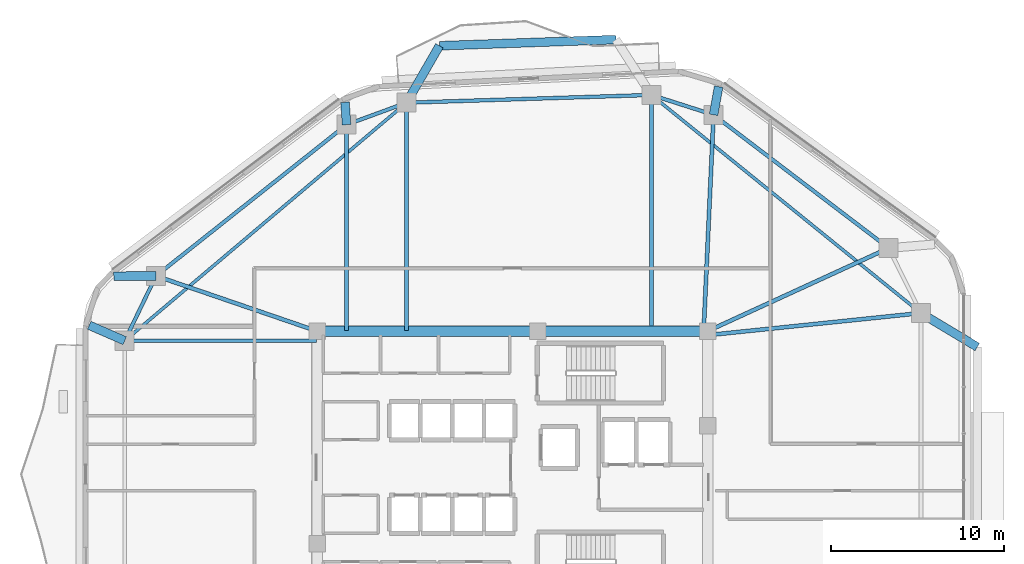
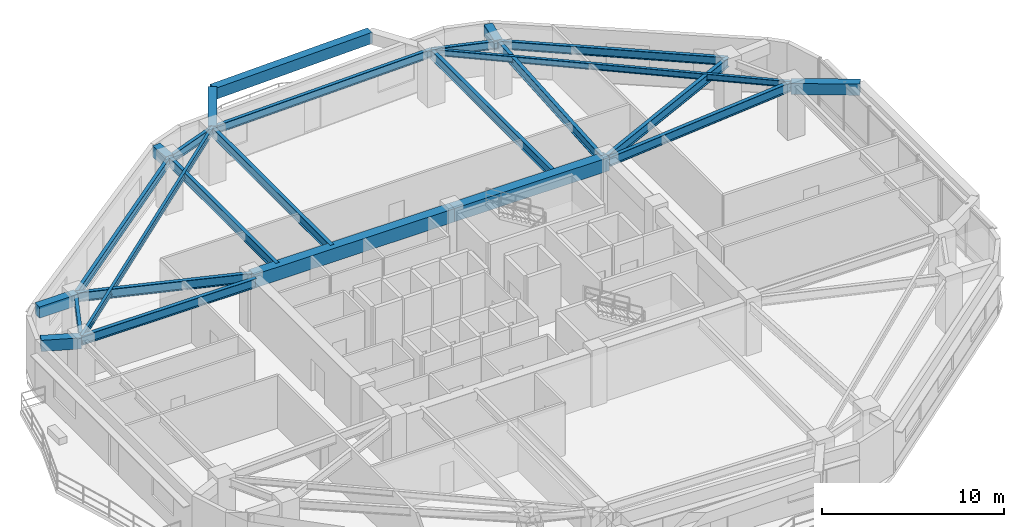
# One storey, part 6 of 15: 25 beams.
"""IFC4 building model written with IfcOpenShell, lengths in metres."""

from ifc_helpers import new_model, si_unit, direction, frame, origin, origin_2d, place, context, subcontext, project, spatial, rectangle, i_section, extrude, material, material_profile, profile_set, type_object, element, save


model = new_model("IFC4")

# Units and contexts
model_context = context("Model", 3, precision=1e-05, world=origin(), true_north=direction((0.0, 1.0)))
body_context = subcontext(model_context, "Body", "Model", "MODEL_VIEW")
ifc_project = project(units=[si_unit("LENGTHUNIT", "METRE"), si_unit("AREAUNIT", "SQUARE_METRE"), si_unit("VOLUMEUNIT", "CUBIC_METRE"), si_unit("PLANEANGLEUNIT", "RADIAN"), si_unit("MASSUNIT", "GRAM", prefix="KILO")], contexts=[model_context])

# Site, building, storey
site_placement = place(None, origin())
site = spatial("IfcSite", under=ifc_project, at=site_placement, CompositionType="ELEMENT")
building_placement = place(site_placement, origin())
building = spatial("IfcBuilding", under=site, at=building_placement, Name="Zulverin Broadcast Headquarters", CompositionType="ELEMENT")
storey_placement = place(building_placement, frame((0.0, 0.0, 132.60009765625)))
storey = spatial("IfcBuildingStorey", under=building, at=storey_placement, Name="L33", CompositionType="ELEMENT", Elevation=132.60009765625)

# Beams
ifc_material_1 = material(Name="Concrete C60/75", Category="concrete")
ifc_material_profile_1 = material_profile(ifc_material_1, rectangle(XDim=0.60009765625, YDim=0.89990234375, at=origin_2d()), Name="Concrete C60/75", Category="concrete")
ifc_profile_set_1 = profile_set([ifc_material_profile_1], Name="Concrete C60/75")
beam_type_1 = type_object("IfcBeamType", Name="BM-CB-600x900", PredefinedType="LINTEL", material=ifc_profile_set_1)
beam_1_placement = place(storey_placement, frame((48.27490234375, 33.074951171875, 3.08984375), z_axis=(-1.0, 0.0, 0.0), x_axis=(0.0, -1.0, 0.0)))
element("IfcBeam", 1, at=beam_1_placement, inside=storey, type_object=beam_type_1, Name="L33 Core Coupling Girder K05-K06", PredefinedType="LINTEL", context=body_context, shape_type="SweptSolid", body=[
    extrude(rectangle(XDim=0.60009765625, YDim=0.89990234375, at=origin_2d()), origin(), (0.0, 0.0, 1.0), 9.824951171875),
])
beam_2_placement = place(storey_placement, frame((38.449951171875, 33.074951171875, 3.08984375), z_axis=(-1.0, 0.0, 0.0), x_axis=(0.0, -1.0, 0.0)))
element("IfcBeam", 2, at=beam_2_placement, inside=storey, type_object=beam_type_1, Name="L33 Core Coupling Girder K06-K07", PredefinedType="LINTEL", context=body_context, shape_type="SweptSolid", body=[
    extrude(rectangle(XDim=0.60009765625, YDim=0.89990234375, at=origin_2d()), origin(), (0.0, 0.0, 1.0), 12.724853515625),
])
ifc_material_2 = material(Name="Concrete C40/50", Category="concrete")
ifc_material_profile_2 = material_profile(ifc_material_2, rectangle(XDim=0.5, YDim=0.75, at=origin_2d()), Name="Concrete C40/50", Category="concrete")
ifc_profile_set_2 = profile_set([ifc_material_profile_2], Name="Concrete C40/50")
beam_type_2 = type_object("IfcBeamType", Name="BM-RC-500x750", PredefinedType="BEAM", material=ifc_profile_set_2)
beam_3_placement = place(storey_placement, frame((48.62158203125, 45.574951171875, 3.164794921875), z_axis=(0.176183868408, 0.984357274831, 0.0), x_axis=(-0.984357274831, 0.176183868408, 0.0)))
element("IfcBeam", 3, at=beam_3_placement, inside=storey, type_object=beam_type_2, Name="L34 Plate Overhang Back-Spanned Beam OVR-08", PredefinedType="BEAM", context=body_context, shape_type="SweptSolid", body=[
    extrude(rectangle(XDim=0.5, YDim=0.75, at=origin_2d()), origin(), (0.0, 0.0, 1.0), 1.654541015625),
])
beam_4_placement = place(storey_placement, frame((27.416259765625, 45.00439453125, 3.164794921875), z_axis=(-0.068312581643, 0.99766396707, 0.0), x_axis=(-0.99766396707, -0.068312581643, 0.0)))
element("IfcBeam", 4, at=beam_4_placement, inside=storey, type_object=beam_type_2, Name="L34 Plate Overhang Back-Spanned Beam OVR-11", PredefinedType="BEAM", context=body_context, shape_type="SweptSolid", body=[
    extrude(rectangle(XDim=0.5, YDim=0.75, at=origin_2d()), origin(), (0.0, 0.0, 1.0), 1.30078125),
])
beam_5_placement = place(storey_placement, frame((16.40869140625, 36.26806640625, 3.164794921875), z_axis=(-0.999988487108, -0.004798505187, 0.0), x_axis=(0.004798505187, -0.999988487108, 0.0)))
element("IfcBeam", 5, at=beam_5_placement, inside=storey, type_object=beam_type_2, Name="L34 Plate Overhang Back-Spanned Beam OVR-12", PredefinedType="BEAM", context=body_context, shape_type="SweptSolid", body=[
    extrude(rectangle(XDim=0.5, YDim=0.75, at=origin_2d()), origin(), (0.0, 0.0, 1.0), 2.442138671875),
])
beam_6_placement = place(storey_placement, frame((14.60009765625, 32.523193359375, 3.164794921875), z_axis=(-0.916345077011, 0.400389435221, 0.0), x_axis=(-0.400389435221, -0.916345077011, 0.0)))
element("IfcBeam", 6, at=beam_6_placement, inside=storey, type_object=beam_type_2, Name="L34 Plate Overhang Back-Spanned Beam OVR-13", PredefinedType="BEAM", context=body_context, shape_type="SweptSolid", body=[
    extrude(rectangle(XDim=0.5, YDim=0.75, at=origin_2d()), origin(), (0.0, 0.0, 1.0), 2.2373046875),
])
beam_7_placement = place(storey_placement, frame((60.60009765625, 34.12158203125, 3.164794921875), z_axis=(0.856590210266, -0.515997298128, 0.0), x_axis=(0.515997298128, 0.856590210266, 0.0)))
element("IfcBeam", 7, at=beam_7_placement, inside=storey, type_object=beam_type_2, Name="L34 Balcony Column-Framed Cantilever BAL_E-2", PredefinedType="BEAM", context=body_context, shape_type="SweptSolid", body=[
    extrude(rectangle(XDim=0.5, YDim=0.75, at=origin_2d()), origin(), (0.0, 0.0, 1.0), 3.7998046875),
])
beam_8_placement = place(storey_placement, frame((30.882080078125, 46.27490234375, 3.164794921875), z_axis=(0.500167342989, 0.865928766705, 0.0), x_axis=(-0.865928766705, 0.500167342989, 0.0)))
element("IfcBeam", 8, at=beam_8_placement, inside=storey, type_object=beam_type_2, Name="L34 Balcony Column-Framed Cantilever BAL_N-2", PredefinedType="BEAM", context=body_context, shape_type="SweptSolid", body=[
    extrude(rectangle(XDim=0.5, YDim=0.75, at=origin_2d()), origin(), (0.0, 0.0, 1.0), 3.800048828125),
])
beam_9_placement = place(storey_placement, frame((42.9765625, 49.922607421875, 3.164794921875), z_axis=(-0.999386714326, -0.035017070534, 0.0), x_axis=(0.035017070534, -0.999386714326, 0.0)))
element("IfcBeam", 9, at=beam_9_placement, inside=storey, type_object=beam_type_2, Name="L34 Balcony Outer Edge Trimmer Beam BAL_N", PredefinedType="BEAM", context=body_context, shape_type="SweptSolid", body=[
    extrude(rectangle(XDim=0.5, YDim=0.75, at=origin_2d()), origin(), (0.0, 0.0, 1.0), 10.2001953125),
])
ifc_material_3 = material(Name="Structural steel S355JR", Category="steel")
ifc_material_profile_3 = material_profile(ifc_material_3, i_section(OverallWidth=0.179443359375, OverallDepth=0.412841796875, WebThickness=0.009521484375, FlangeThickness=0.01611328125, at=origin_2d()), Name="Structural steel S355JR", Category="steel")
ifc_profile_set_3 = profile_set([ifc_material_profile_3], Name="Structural steel S355JR")
beam_type_3 = type_object("IfcBeamType", Name="BM-UB-406", PredefinedType="JOIST", material=ifc_profile_set_3)
beam_10_placement = place(storey_placement, frame((60.60009765625, 34.12158203125, 3.33349609375), z_axis=(-0.777349017335, 0.629069555175, 0.0), x_axis=(-0.629069555175, -0.777349017335, 0.0)))
element("IfcBeam", 10, at=beam_10_placement, inside=storey, type_object=beam_type_3, Name="L33 Chordal Floor Joist J-02", PredefinedType="JOIST", context=body_context, shape_type="SweptSolid", body=[
    extrude(i_section(OverallWidth=0.179443359375, OverallDepth=0.412841796875, WebThickness=0.009521484375, FlangeThickness=0.01611328125, at=origin_2d()), origin(), (0.0, 0.0, 1.0), 20.032958984375),
])
beam_11_placement = place(storey_placement, frame((30.882080078125, 46.27490234375, 3.33349609375), z_axis=(-0.763972566446, -0.645248725468, 0.0), x_axis=(0.645248725468, -0.763972566446, 0.0)))
element("IfcBeam", 11, at=beam_11_placement, inside=storey, type_object=beam_type_3, Name="L33 Chordal Floor Joist J-03", PredefinedType="JOIST", context=body_context, shape_type="SweptSolid", body=[
    extrude(i_section(OverallWidth=0.179443359375, OverallDepth=0.412841796875, WebThickness=0.009521484375, FlangeThickness=0.01611328125, at=origin_2d()), origin(), (0.0, 0.0, 1.0), 21.312255859375),
])
ifc_material_profile_4 = material_profile(ifc_material_3, i_section(OverallWidth=0.2119140625, OverallDepth=0.54443359375, WebThickness=0.0126953125, FlangeThickness=0.021240234375, at=origin_2d()), Name="Structural steel S355JR", Category="steel")
ifc_profile_set_4 = profile_set([ifc_material_profile_4], Name="Structural steel S355JR")
beam_type_4 = type_object("IfcBeamType", Name="BM-UB-533", PredefinedType="SPANDREL", material=ifc_profile_set_4)
beam_12_placement = place(storey_placement, frame((58.738037109375, 37.877685546875, 3.267578125), z_axis=(-0.795830102505, 0.60551998146, 0.0), x_axis=(-0.60551998146, -0.795830102505, 0.0)))
element("IfcBeam", 12, at=beam_12_placement, inside=storey, type_object=beam_type_4, Name="L33 Perimeter Spandrel Beam SP-07", PredefinedType="SPANDREL", context=body_context, shape_type="SweptSolid", body=[
    extrude(i_section(OverallWidth=0.2119140625, OverallDepth=0.54443359375, WebThickness=0.0126953125, FlangeThickness=0.021240234375, at=origin_2d()), origin(), (0.0, 0.0, 1.0), 12.7119140625),
])
beam_13_placement = place(storey_placement, frame((48.62158203125, 45.574951171875, 3.267578125), z_axis=(-0.952531523781, 0.304439971428, 0.0), x_axis=(-0.304439971428, -0.952531523781, 0.0)))
element("IfcBeam", 13, at=beam_13_placement, inside=storey, type_object=beam_type_4, Name="L33 Perimeter Spandrel Beam SP-08", PredefinedType="SPANDREL", context=body_context, shape_type="SweptSolid", body=[
    extrude(i_section(OverallWidth=0.2119140625, OverallDepth=0.54443359375, WebThickness=0.0126953125, FlangeThickness=0.021240234375, at=origin_2d()), origin(), (0.0, 0.0, 1.0), 3.773193359375),
])
beam_14_placement = place(storey_placement, frame((45.027587890625, 46.7236328125, 3.267578125), z_axis=(-0.999497221833, -0.031706522156, 0.0), x_axis=(0.031706522156, -0.999497221833, 0.0)))
element("IfcBeam", 14, at=beam_14_placement, inside=storey, type_object=beam_type_4, Name="L33 Perimeter Spandrel Beam SP-09", PredefinedType="SPANDREL", context=body_context, shape_type="SweptSolid", body=[
    extrude(i_section(OverallWidth=0.2119140625, OverallDepth=0.54443359375, WebThickness=0.0126953125, FlangeThickness=0.021240234375, at=origin_2d()), origin(), (0.0, 0.0, 1.0), 14.152587890625),
])
beam_15_placement = place(storey_placement, frame((30.882080078125, 46.27490234375, 3.267578125), z_axis=(-0.938901965426, -0.344184687805, 0.0), x_axis=(0.344184687805, -0.938901965426, 0.0)))
element("IfcBeam", 15, at=beam_15_placement, inside=storey, type_object=beam_type_4, Name="L33 Perimeter Spandrel Beam SP-10", PredefinedType="SPANDREL", context=body_context, shape_type="SweptSolid", body=[
    extrude(i_section(OverallWidth=0.2119140625, OverallDepth=0.54443359375, WebThickness=0.0126953125, FlangeThickness=0.021240234375, at=origin_2d()), origin(), (0.0, 0.0, 1.0), 3.69140625),
])
beam_16_placement = place(storey_placement, frame((27.416259765625, 45.00439453125, 3.267578125), z_axis=(-0.783283263401, -0.621664965457, 0.0), x_axis=(0.621664965457, -0.783283263401, 0.0)))
element("IfcBeam", 16, at=beam_16_placement, inside=storey, type_object=beam_type_4, Name="L33 Perimeter Spandrel Beam SP-11", PredefinedType="SPANDREL", context=body_context, shape_type="SweptSolid", body=[
    extrude(i_section(OverallWidth=0.2119140625, OverallDepth=0.54443359375, WebThickness=0.0126953125, FlangeThickness=0.021240234375, at=origin_2d()), origin(), (0.0, 0.0, 1.0), 14.05322265625),
])
beam_17_placement = place(storey_placement, frame((16.40869140625, 36.26806640625, 3.267578125), z_axis=(-0.434890248034, -0.900483465792, 0.0), x_axis=(0.900483465792, -0.434890248034, 0.0)))
element("IfcBeam", 17, at=beam_17_placement, inside=storey, type_object=beam_type_4, Name="L33 Perimeter Spandrel Beam SP-12", PredefinedType="SPANDREL", context=body_context, shape_type="SweptSolid", body=[
    extrude(i_section(OverallWidth=0.2119140625, OverallDepth=0.54443359375, WebThickness=0.0126953125, FlangeThickness=0.021240234375, at=origin_2d()), origin(), (0.0, 0.0, 1.0), 4.15869140625),
])
ifc_material_profile_5 = material_profile(ifc_material_3, i_section(OverallWidth=0.230224609375, OverallDepth=0.6171875, WebThickness=0.01318359375, FlangeThickness=0.022216796875, at=origin_2d()), Name="Structural steel S355JR", Category="steel")
ifc_profile_set_5 = profile_set([ifc_material_profile_5], Name="Structural steel S355JR")
beam_type_5 = type_object("IfcBeamType", Name="BM-UB-610", PredefinedType="BEAM", material=ifc_profile_set_5)
beam_18_placement = place(storey_placement, frame((48.324951171875, 32.85009765625, 3.231201171875), z_axis=(0.994678169641, 0.103030766473, 0.0), x_axis=(-0.103030766473, 0.994678169641, 0.0)))
element("IfcBeam", 18, at=beam_18_placement, inside=storey, type_object=beam_type_5, Name="L33 Radial Primary Floor Beam RB-06", PredefinedType="BEAM", context=body_context, shape_type="SweptSolid", body=[
    extrude(i_section(OverallWidth=0.230224609375, OverallDepth=0.6171875, WebThickness=0.01318359375, FlangeThickness=0.022216796875, at=origin_2d()), origin(), (0.0, 0.0, 1.0), 12.3408203125),
])
beam_19_placement = place(storey_placement, frame((48.27490234375, 33.074951171875, 3.231201171875), z_axis=(0.90883007293, 0.417166511764, 0.0), x_axis=(-0.417166511764, 0.90883007293, 0.0)))
element("IfcBeam", 19, at=beam_19_placement, inside=storey, type_object=beam_type_5, Name="L33 Radial Primary Floor Beam RB-07", PredefinedType="BEAM", context=body_context, shape_type="SweptSolid", body=[
    extrude(i_section(OverallWidth=0.230224609375, OverallDepth=0.6171875, WebThickness=0.01318359375, FlangeThickness=0.022216796875, at=origin_2d()), origin(), (0.0, 0.0, 1.0), 11.5126953125),
])
beam_20_placement = place(storey_placement, frame((48.050048828125, 33.125, 3.231201171875), z_axis=(0.045858166026, 0.998947960911, 0.0), x_axis=(-0.998947960911, 0.045858166026, 0.0)))
element("IfcBeam", 20, at=beam_20_placement, inside=storey, type_object=beam_type_5, Name="L33 Radial Primary Floor Beam RB-08", PredefinedType="BEAM", context=body_context, shape_type="SweptSolid", body=[
    extrude(i_section(OverallWidth=0.230224609375, OverallDepth=0.6171875, WebThickness=0.01318359375, FlangeThickness=0.022216796875, at=origin_2d()), origin(), (0.0, 0.0, 1.0), 12.463134765625),
])
beam_21_placement = place(storey_placement, frame((45.027587890625, 33.125, 3.231201171875), z_axis=(0.0, 1.0, 0.0), x_axis=(-1.0, 0.0, 0.0)))
element("IfcBeam", 21, at=beam_21_placement, inside=storey, type_object=beam_type_5, Name="L33 Radial Primary Floor Beam RB-09", PredefinedType="BEAM", context=body_context, shape_type="SweptSolid", body=[
    extrude(i_section(OverallWidth=0.230224609375, OverallDepth=0.6171875, WebThickness=0.01318359375, FlangeThickness=0.022216796875, at=origin_2d()), origin(), (0.0, 0.0, 1.0), 13.5986328125),
])
beam_22_placement = place(storey_placement, frame((30.882080078125, 33.125, 3.231201171875), z_axis=(0.0, 1.0, 0.0), x_axis=(-1.0, 0.0, 0.0)))
element("IfcBeam", 22, at=beam_22_placement, inside=storey, type_object=beam_type_5, Name="L33 Radial Primary Floor Beam RB-10", PredefinedType="BEAM", context=body_context, shape_type="SweptSolid", body=[
    extrude(i_section(OverallWidth=0.230224609375, OverallDepth=0.6171875, WebThickness=0.01318359375, FlangeThickness=0.022216796875, at=origin_2d()), origin(), (0.0, 0.0, 1.0), 13.14990234375),
])
beam_23_placement = place(storey_placement, frame((27.416259765625, 33.125, 3.231201171875), z_axis=(0.0, 1.0, 0.0), x_axis=(-1.0, 0.0, 0.0)))
element("IfcBeam", 23, at=beam_23_placement, inside=storey, type_object=beam_type_5, Name="L33 Radial Primary Floor Beam RB-11", PredefinedType="BEAM", context=body_context, shape_type="SweptSolid", body=[
    extrude(i_section(OverallWidth=0.230224609375, OverallDepth=0.6171875, WebThickness=0.01318359375, FlangeThickness=0.022216796875, at=origin_2d()), origin(), (0.0, 0.0, 1.0), 11.87939453125),
])
beam_24_placement = place(storey_placement, frame((25.72509765625, 33.074951171875, 3.231201171875), z_axis=(-0.945979621685, 0.324226086793, 0.0), x_axis=(-0.324226086793, -0.945979621685, 0.0)))
element("IfcBeam", 24, at=beam_24_placement, inside=storey, type_object=beam_type_5, Name="L33 Radial Primary Floor Beam RB-12", PredefinedType="BEAM", context=body_context, shape_type="SweptSolid", body=[
    extrude(i_section(OverallWidth=0.230224609375, OverallDepth=0.6171875, WebThickness=0.01318359375, FlangeThickness=0.022216796875, at=origin_2d()), origin(), (0.0, 0.0, 1.0), 9.848388671875),
])
beam_25_placement = place(storey_placement, frame((25.675048828125, 32.523193359375, 3.231201171875), z_axis=(-1.0, 0.0, 0.0), x_axis=(0.0, -1.0, 0.0)))
element("IfcBeam", 25, at=beam_25_placement, inside=storey, type_object=beam_type_5, Name="L33 Radial Primary Floor Beam RB-13", PredefinedType="BEAM", context=body_context, shape_type="SweptSolid", body=[
    extrude(i_section(OverallWidth=0.230224609375, OverallDepth=0.6171875, WebThickness=0.01318359375, FlangeThickness=0.022216796875, at=origin_2d()), origin(), (0.0, 0.0, 1.0), 11.074951171875),
])

save(model, "model.ifc")
